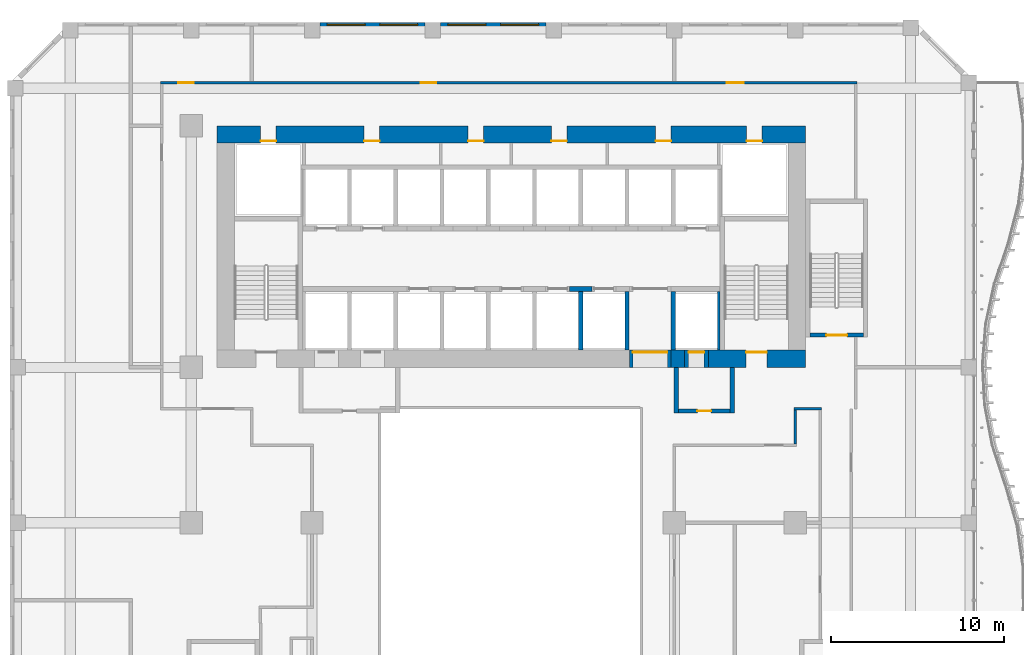
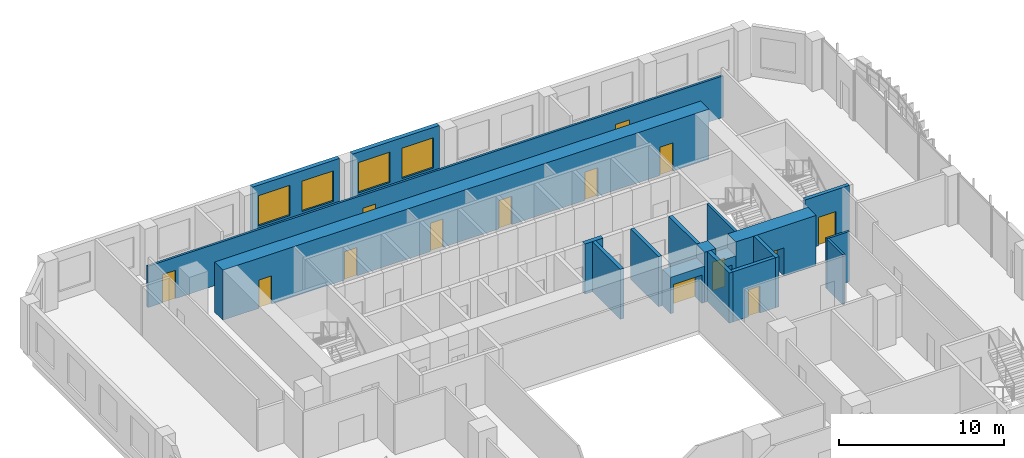
# One storey, part 16 of 26: 19 walls, 14 doors, 4 windows, 18 openings.
"""IFC4 building model written with IfcOpenShell, lengths in metres."""

from ifc_helpers import new_model, si_unit, direction, frame, frame_2d, origin, place, context, subcontext, project, spatial, rectangle, extrude, source, transform, mapped, material, layer, layer_set, type_object, element, fill, save


model = new_model("IFC4")

# Units and contexts
model_context = context("Model", 3, precision=1e-05, world=origin(), true_north=direction((0.0, 1.0)))
body_context = subcontext(model_context, "Body", "Model", "MODEL_VIEW")
ifc_project = project(units=[si_unit("LENGTHUNIT", "METRE"), si_unit("AREAUNIT", "SQUARE_METRE"), si_unit("VOLUMEUNIT", "CUBIC_METRE"), si_unit("PLANEANGLEUNIT", "RADIAN"), si_unit("MASSUNIT", "GRAM", prefix="KILO")], contexts=[model_context])

# Site, building, storey
site_placement = place(None, origin())
site = spatial("IfcSite", under=ifc_project, at=site_placement, CompositionType="ELEMENT")
building_placement = place(site_placement, origin())
building = spatial("IfcBuilding", under=site, at=building_placement, Name="Kilnfold Tower and Market Hall", CompositionType="ELEMENT")
storey_placement = place(building_placement, frame((0.0, 0.0, 31.0)))
storey = spatial("IfcBuildingStorey", under=building, at=storey_placement, Name="L06", CompositionType="ELEMENT", Elevation=31.0)

# Walls
ifc_material_1 = material(Name="Gypsum board on steel studs", Category="steel")
ifc_layer_1 = layer(ifc_material_1, 0.14990234375)
ifc_layer_set_1 = layer_set([ifc_layer_1], Name="Gypsum board on steel studs")
wall_type_1 = type_object("IfcWallType", Name="WALL CORRIDOR 150", PredefinedType="PARTITIONING", material=ifc_layer_set_1)
wall_1_placement = place(storey_placement, frame((17.425048828125, 5.60009765625, 0.0), z_axis=(0.0, 0.0, 1.0), x_axis=(1.0, 0.0, 0.0)))
element("IfcWall", 1, at=wall_1_placement, inside=storey, type_object=wall_type_1, Name="Partition LY06.24", PredefinedType="PARTITIONING", context=body_context, shape_type="SweptSolid", body=[
    extrude(rectangle(XDim=1.599853515625, YDim=0.14990234375, at=frame_2d((0.7998046875, 0.0))), origin(), (0.0, 0.0, 1.0), 3.719970703125),
])
wall_2_placement = place(storey_placement, frame((17.5, 3.574951171875, 0.0), z_axis=(0.0, 0.0, 1.0), x_axis=(0.0, 1.0, 0.0)))
element("IfcWall", 2, at=wall_2_placement, inside=storey, type_object=wall_type_1, Name="Partition LY06.25", PredefinedType="PARTITIONING", context=body_context, shape_type="SweptSolid", body=[
    extrude(rectangle(XDim=1.949951171875, YDim=0.14990234375, at=frame_2d((0.97509765625, 0.0))), origin(), (0.0, 0.0, 1.0), 3.719970703125),
])

# Wall, openings, doors
wall_3_placement = place(storey_placement, frame((-19.27490234375, 24.5, 0.0), z_axis=(0.0, 0.0, 1.0), x_axis=(1.0, 0.0, 0.0)))
wall_3 = element("IfcWall", 3, at=wall_3_placement, inside=storey, type_object=wall_type_1, Name="Partition LY06.33", PredefinedType="PARTITIONING", context=body_context, shape_type="SweptSolid", body=[
    extrude(rectangle(XDim=40.349853515625, YDim=0.14990234375, at=frame_2d((20.1748046875, 0.0))), origin(), (0.0, 0.0, 1.0), 3.070068359375),
])
opening_1_placement = place(wall_3_placement, frame((1.01708984375, 0.0, 0.0)))
opening_1 = element("IfcOpeningElement", 4, at=opening_1_placement, cuts=wall_3, Name="Opening D3", PredefinedType="OPENING", context=body_context, shape_type="SweptSolid", body=[
    extrude(rectangle(XDim=0.89990234375, YDim=2.10009765625, at=frame_2d((0.449951171875, 1.050048828125))), frame((0.0, 0.0849609375, 0.0), z_axis=(0.0, -1.0, 0.0), x_axis=(1.0, 0.0, 0.0)), (0.0, 0.0, 1.0), 0.169921875),
])
opening_2_placement = place(wall_3_placement, frame((15.072998046875, 0.0, 0.0)))
opening_2 = element("IfcOpeningElement", 5, at=opening_2_placement, cuts=wall_3, Name="Opening D2", PredefinedType="OPENING", context=body_context, shape_type="SweptSolid", body=[
    extrude(rectangle(XDim=0.89990234375, YDim=2.10009765625, at=frame_2d((0.449951171875, 1.050048828125))), frame((0.0, 0.0849609375, 0.0), z_axis=(0.0, -1.0, 0.0), x_axis=(1.0, 0.0, 0.0)), (0.0, 0.0, 1.0), 0.169921875),
])
opening_3_placement = place(wall_3_placement, frame((32.791015625, 0.0, 0.0)))
opening_3 = element("IfcOpeningElement", 6, at=opening_3_placement, cuts=wall_3, Name="Opening D1", PredefinedType="OPENING", context=body_context, shape_type="SweptSolid", body=[
    extrude(rectangle(XDim=1.0, YDim=2.10009765625, at=frame_2d((0.5, 1.050048828125))), frame((0.0, 0.0849609375, 0.0), z_axis=(0.0, -1.0, 0.0), x_axis=(1.0, 0.0, 0.0)), (0.0, 0.0, 1.0), 0.169921875),
])
ifc_material_2 = material(Name="Timber veneer door leaf in steel frame", Category="steel")
door_type_1 = type_object("IfcDoorType", Name="DOOR ENTRY 1000 X2100", OperationType="NOTDEFINED", PredefinedType="DOOR", material=ifc_material_2)
door_1_placement = place(opening_3_placement, origin())
door_1 = element("IfcDoor", 7, at=door_1_placement, inside=storey, type_object=door_type_1, Name="Door D1", OperationType="SINGLE_SWING_RIGHT", OverallHeight=2.10009765625, OverallWidth=1.0, PredefinedType="DOOR", context=body_context, shape_type="SweptSolid", body=[
    extrude(rectangle(XDim=1.0, YDim=2.10009765625, at=frame_2d((0.5, 1.050048828125))), frame((0.0, 0.02490234375, 0.0), z_axis=(0.0, -1.0, 0.0), x_axis=(1.0, 0.0, 0.0)), (0.0, 0.0, 1.0), 0.050048828125),
])
fill(opening_3, door_1)
ifc_material_3 = material(Name="Timber veneer door leaf in steel frame", Category="steel")
door_type_2 = type_object("IfcDoorType", Name="DOOR ROOM 900 X2100", OperationType="NOTDEFINED", PredefinedType="DOOR", material=ifc_material_3)
door_2_placement = place(opening_2_placement, origin())
door_2 = element("IfcDoor", 8, at=door_2_placement, inside=storey, type_object=door_type_2, Name="Door D2", OperationType="SINGLE_SWING_LEFT", OverallHeight=2.10009765625, OverallWidth=0.89990234375, PredefinedType="DOOR", context=body_context, shape_type="SweptSolid", body=[
    extrude(rectangle(XDim=0.89990234375, YDim=2.10009765625, at=frame_2d((0.449951171875, 1.050048828125))), frame((0.0, 0.02490234375, 0.0), z_axis=(0.0, -1.0, 0.0), x_axis=(1.0, 0.0, 0.0)), (0.0, 0.0, 1.0), 0.050048828125),
])
fill(opening_2, door_2)
ifc_material_4 = material(Name="Timber veneer door leaf in steel frame", Category="steel")
door_type_3 = type_object("IfcDoorType", Name="DOOR WC 900 X2100", OperationType="NOTDEFINED", PredefinedType="DOOR", material=ifc_material_4)
door_3_placement = place(opening_1_placement, origin())
door_3 = element("IfcDoor", 9, at=door_3_placement, inside=storey, type_object=door_type_3, Name="Door D3", OperationType="SINGLE_SWING_RIGHT", OverallHeight=2.10009765625, OverallWidth=0.89990234375, PredefinedType="DOOR", context=body_context, shape_type="SweptSolid", body=[
    extrude(rectangle(XDim=0.89990234375, YDim=2.10009765625, at=frame_2d((0.449951171875, 1.050048828125))), frame((0.0, 0.02490234375, 0.0), z_axis=(0.0, -1.0, 0.0), x_axis=(1.0, 0.0, 0.0)), (0.0, 0.0, 1.0), 0.050048828125),
])
fill(opening_1, door_3)

# Wall
ifc_material_5 = material(Name="Concrete C80", Category="concrete")
ifc_layer_2 = layer(ifc_material_5, 1.0)
ifc_layer_set_2 = layer_set([ifc_layer_2], Name="Concrete C80")
wall_type_2 = type_object("IfcWallType", Name="CORE WALL 1000 C80", PredefinedType="SHEAR", material=ifc_layer_set_2)
shared_shape_1 = source(origin(), body_context, "Body", "SweptSolid", [
    extrude(rectangle(XDim=0.780029296875, YDim=1.0, at=frame_2d((0.39013671875, 0.0))), origin(), (0.0, 0.0, 1.0), 3.719970703125),
])
wall_4_placement = place(storey_placement, frame((10.2900390625, 8.5, 0.0), z_axis=(0.0, 0.0, 1.0), x_axis=(1.0, 0.0, 0.0)))
element("IfcWall", 10, at=wall_4_placement, inside=storey, type_object=wall_type_2, Name="Core outer wall south", PredefinedType="SHEAR", context=body_context, shape_type="MappedRepresentation", body=[
    mapped(shared_shape_1, transform((0.0, 0.0, 0.0))),
])

# Wall, opening, door
shared_shape_2 = source(origin(), body_context, "Body", "SweptSolid", [
    extrude(rectangle(XDim=5.630126953125, YDim=1.0, at=frame_2d((2.81494140625, 0.0))), origin(), (0.0, 0.0, 1.0), 3.719970703125),
])
wall_5_placement = place(storey_placement, frame((12.469970703125, 8.5, 0.0), z_axis=(0.0, 0.0, 1.0), x_axis=(1.0, 0.0, 0.0)))
wall_5 = element("IfcWall", 11, at=wall_5_placement, inside=storey, type_object=wall_type_2, Name="Core outer wall south", PredefinedType="SHEAR", context=body_context, shape_type="MappedRepresentation", body=[
    mapped(shared_shape_2, transform((0.0, 0.0, 0.0))),
])
opening_4_placement = place(wall_5_placement, frame((2.179931640625, 0.0, 0.0)))
opening_4 = element("IfcOpeningElement", 12, at=opening_4_placement, cuts=wall_5, Name="Opening SD1", PredefinedType="OPENING", context=body_context, shape_type="SweptSolid", body=[
    extrude(rectangle(XDim=1.199951171875, YDim=2.10009765625, at=frame_2d((0.60009765625, 1.050048828125))), frame((0.0, 0.510009765625, 0.0), z_axis=(0.0, -1.0, 0.0), x_axis=(1.0, 0.0, 0.0)), (0.0, 0.0, 1.0), 1.02001953125),
])
ifc_material_6 = material(Name="Steel door set with fire-resisting leaf", Category="steel")
door_type_4 = type_object("IfcDoorType", Name="STAIR FLOOR DOOR 1200X2100", OperationType="NOTDEFINED", PredefinedType="DOOR", material=ifc_material_6)
door_4_placement = place(opening_4_placement, origin())
door_4 = element("IfcDoor", 13, at=door_4_placement, inside=storey, type_object=door_type_4, Name="Exit stair ST2 door", OperationType="DOUBLE_DOOR_SINGLE_SWING", OverallHeight=2.10009765625, OverallWidth=1.199951171875, PredefinedType="DOOR", context=body_context, shape_type="SweptSolid", body=[
    extrude(rectangle(XDim=1.199951171875, YDim=2.10009765625, at=frame_2d((0.60009765625, 1.050048828125))), frame((0.0, 0.40478515625, 0.0), z_axis=(0.0, -1.0, 0.0), x_axis=(1.0, 0.0, 0.0)), (0.0, 0.0, 1.0), 0.050048828125),
])
fill(opening_4, door_4)

# Wall, openings, doors
shared_shape_3 = source(origin(), body_context, "Body", "SweptSolid", [
    extrude(rectangle(XDim=34.10009765625, YDim=1.0, at=frame_2d((17.050048828125, 0.0))), origin(), (0.0, 0.0, 1.0), 3.719970703125),
])
wall_6_placement = place(storey_placement, frame((-16.0, 21.5, 0.0), z_axis=(0.0, 0.0, 1.0), x_axis=(1.0, 0.0, 0.0)))
wall_6 = element("IfcWall", 14, at=wall_6_placement, inside=storey, type_object=wall_type_2, Name="Core outer wall north", PredefinedType="SHEAR", context=body_context, shape_type="MappedRepresentation", body=[
    mapped(shared_shape_3, transform((0.0, 0.0, 0.0))),
])
opening_5_placement = place(wall_6_placement, frame((8.519775390625, 0.0, 0.0)))
opening_5 = element("IfcOpeningElement", 15, at=opening_5_placement, cuts=wall_6, Name="Opening KD1", PredefinedType="OPENING", context=body_context, shape_type="SweptSolid", body=[
    extrude(rectangle(XDim=0.89990234375, YDim=2.10009765625, at=frame_2d((0.449951171875, 1.050048828125))), frame((0.0, 0.510009765625, 0.0), z_axis=(0.0, -1.0, 0.0), x_axis=(1.0, 0.0, 0.0)), (0.0, 0.0, 1.0), 1.02001953125),
])
opening_6_placement = place(wall_6_placement, frame((14.5498046875, 0.0, 0.0)))
opening_6 = element("IfcOpeningElement", 16, at=opening_6_placement, cuts=wall_6, Name="Opening KD1", PredefinedType="OPENING", context=body_context, shape_type="SweptSolid", body=[
    extrude(rectangle(XDim=0.89990234375, YDim=2.10009765625, at=frame_2d((0.449951171875, 1.050048828125))), frame((0.0, 0.510009765625, 0.0), z_axis=(0.0, -1.0, 0.0), x_axis=(1.0, 0.0, 0.0)), (0.0, 0.0, 1.0), 1.02001953125),
])
opening_7_placement = place(wall_6_placement, frame((19.373779296875, 0.0, 0.0)))
opening_7 = element("IfcOpeningElement", 17, at=opening_7_placement, cuts=wall_6, Name="Opening KD1", PredefinedType="OPENING", context=body_context, shape_type="SweptSolid", body=[
    extrude(rectangle(XDim=0.89990234375, YDim=2.10009765625, at=frame_2d((0.449951171875, 1.050048828125))), frame((0.0, 0.510009765625, 0.0), z_axis=(0.0, -1.0, 0.0), x_axis=(1.0, 0.0, 0.0)), (0.0, 0.0, 1.0), 1.02001953125),
])
opening_8_placement = place(wall_6_placement, frame((25.40380859375, 0.0, 0.0)))
opening_8 = element("IfcOpeningElement", 18, at=opening_8_placement, cuts=wall_6, Name="Opening KD1", PredefinedType="OPENING", context=body_context, shape_type="SweptSolid", body=[
    extrude(rectangle(XDim=0.89990234375, YDim=2.10009765625, at=frame_2d((0.449951171875, 1.050048828125))), frame((0.0, 0.510009765625, 0.0), z_axis=(0.0, -1.0, 0.0), x_axis=(1.0, 0.0, 0.0)), (0.0, 0.0, 1.0), 1.02001953125),
])
opening_9_placement = place(wall_6_placement, frame((2.52490234375, 0.0, 0.0)))
opening_9 = element("IfcOpeningElement", 19, at=opening_9_placement, cuts=wall_6, Name="Opening KD1", PredefinedType="OPENING", context=body_context, shape_type="SweptSolid", body=[
    extrude(rectangle(XDim=0.89990234375, YDim=2.10009765625, at=frame_2d((0.449951171875, 1.050048828125))), frame((0.0, 0.510009765625, 0.0), z_axis=(0.0, -1.0, 0.0), x_axis=(1.0, 0.0, 0.0)), (0.0, 0.0, 1.0), 1.02001953125),
])
opening_10_placement = place(wall_6_placement, frame((30.675048828125, 0.0, 0.0)))
opening_10 = element("IfcOpeningElement", 20, at=opening_10_placement, cuts=wall_6, Name="Opening KD1", PredefinedType="OPENING", context=body_context, shape_type="SweptSolid", body=[
    extrude(rectangle(XDim=0.89990234375, YDim=2.10009765625, at=frame_2d((0.449951171875, 1.050048828125))), frame((0.0, 0.510009765625, 0.0), z_axis=(0.0, -1.0, 0.0), x_axis=(1.0, 0.0, 0.0)), (0.0, 0.0, 1.0), 1.02001953125),
])
ifc_material_7 = material(Name="Steel door set with fire-resisting leaf", Category="steel")
door_type_5 = type_object("IfcDoorType", Name="SERVICE DOOR 900X2100", OperationType="NOTDEFINED", PredefinedType="DOOR", material=ifc_material_7)
door_5_placement = place(opening_5_placement, origin())
door_5 = element("IfcDoor", 21, at=door_5_placement, inside=storey, type_object=door_type_5, Name="Core service door", OperationType="SINGLE_SWING_RIGHT", OverallHeight=2.10009765625, OverallWidth=0.89990234375, PredefinedType="DOOR", context=body_context, shape_type="SweptSolid", body=[
    extrude(rectangle(XDim=0.89990234375, YDim=2.10009765625, at=frame_2d((0.449951171875, 1.050048828125))), frame((0.0, -0.35498046875, 0.0), z_axis=(0.0, -1.0, 0.0), x_axis=(1.0, 0.0, 0.0)), (0.0, 0.0, 1.0), 0.050048828125),
])
fill(opening_5, door_5)
door_6_placement = place(opening_6_placement, origin())
door_6 = element("IfcDoor", 22, at=door_6_placement, inside=storey, type_object=door_type_5, Name="Core service door", OperationType="SINGLE_SWING_LEFT", OverallHeight=2.10009765625, OverallWidth=0.89990234375, PredefinedType="DOOR", context=body_context, shape_type="SweptSolid", body=[
    extrude(rectangle(XDim=0.89990234375, YDim=2.10009765625, at=frame_2d((0.449951171875, 1.050048828125))), frame((0.0, -0.35498046875, 0.0), z_axis=(0.0, -1.0, 0.0), x_axis=(1.0, 0.0, 0.0)), (0.0, 0.0, 1.0), 0.050048828125),
])
fill(opening_6, door_6)
door_7_placement = place(opening_7_placement, origin())
door_7 = element("IfcDoor", 23, at=door_7_placement, inside=storey, type_object=door_type_5, Name="Core service door", OperationType="SINGLE_SWING_RIGHT", OverallHeight=2.10009765625, OverallWidth=0.89990234375, PredefinedType="DOOR", context=body_context, shape_type="SweptSolid", body=[
    extrude(rectangle(XDim=0.89990234375, YDim=2.10009765625, at=frame_2d((0.449951171875, 1.050048828125))), frame((0.0, -0.35498046875, 0.0), z_axis=(0.0, -1.0, 0.0), x_axis=(1.0, 0.0, 0.0)), (0.0, 0.0, 1.0), 0.050048828125),
])
fill(opening_7, door_7)
door_8_placement = place(opening_8_placement, origin())
door_8 = element("IfcDoor", 24, at=door_8_placement, inside=storey, type_object=door_type_5, Name="Core service door", OperationType="SINGLE_SWING_LEFT", OverallHeight=2.10009765625, OverallWidth=0.89990234375, PredefinedType="DOOR", context=body_context, shape_type="SweptSolid", body=[
    extrude(rectangle(XDim=0.89990234375, YDim=2.10009765625, at=frame_2d((0.449951171875, 1.050048828125))), frame((0.0, -0.35498046875, 0.0), z_axis=(0.0, -1.0, 0.0), x_axis=(1.0, 0.0, 0.0)), (0.0, 0.0, 1.0), 0.050048828125),
])
fill(opening_8, door_8)
door_9_placement = place(opening_9_placement, origin())
door_9 = element("IfcDoor", 25, at=door_9_placement, inside=storey, type_object=door_type_5, Name="Electrical riser access door", OperationType="SINGLE_SWING_RIGHT", OverallHeight=2.10009765625, OverallWidth=0.89990234375, PredefinedType="DOOR", context=body_context, shape_type="SweptSolid", body=[
    extrude(rectangle(XDim=0.89990234375, YDim=2.10009765625, at=frame_2d((0.449951171875, 1.050048828125))), frame((0.0, -0.35498046875, 0.0), z_axis=(0.0, -1.0, 0.0), x_axis=(1.0, 0.0, 0.0)), (0.0, 0.0, 1.0), 0.050048828125),
])
fill(opening_9, door_9)
door_10_placement = place(opening_10_placement, origin())
door_10 = element("IfcDoor", 26, at=door_10_placement, inside=storey, type_object=door_type_5, Name="Mechanical riser access door", OperationType="SINGLE_SWING_LEFT", OverallHeight=2.10009765625, OverallWidth=0.89990234375, PredefinedType="DOOR", context=body_context, shape_type="SweptSolid", body=[
    extrude(rectangle(XDim=0.89990234375, YDim=2.10009765625, at=frame_2d((0.449951171875, 1.050048828125))), frame((0.0, -0.35498046875, 0.0), z_axis=(0.0, -1.0, 0.0), x_axis=(1.0, 0.0, 0.0)), (0.0, 0.0, 1.0), 0.050048828125),
])
fill(opening_10, door_10)

# Wall, opening, door
ifc_material_8 = material(Name="Concrete C80", Category="concrete")
ifc_layer_3 = layer(ifc_material_8, 0.25)
ifc_layer_set_3 = layer_set([ifc_layer_3], Name="Concrete C80")
wall_type_3 = type_object("IfcWallType", Name="CORE WALL 250 C80", PredefinedType="SHEAR", material=ifc_layer_set_3)
shared_shape_4 = source(origin(), body_context, "Body", "SweptSolid", [
    extrude(rectangle(XDim=3.099853515625, YDim=0.25, at=frame_2d((1.5498046875, 0.0))), origin(), (0.0, 0.0, 1.0), 3.719970703125),
])
wall_7_placement = place(storey_placement, frame((18.35009765625, 9.875, 0.0), z_axis=(0.0, 0.0, 1.0), x_axis=(1.0, 0.0, 0.0)))
wall_7 = element("IfcWall", 27, at=wall_7_placement, inside=storey, type_object=wall_type_3, Name="Stair enclosure ST5", PredefinedType="SHEAR", context=body_context, shape_type="MappedRepresentation", body=[
    mapped(shared_shape_4, transform((0.0, 0.0, 0.0))),
])
opening_11_placement = place(wall_7_placement, frame((0.949951171875, 0.0, 0.0)))
opening_11 = element("IfcOpeningElement", 28, at=opening_11_placement, cuts=wall_7, Name="Opening SD1", PredefinedType="OPENING", context=body_context, shape_type="SweptSolid", body=[
    extrude(rectangle(XDim=1.199951171875, YDim=2.10009765625, at=frame_2d((0.60009765625, 1.050048828125))), frame((0.0, 0.135009765625, 0.0), z_axis=(0.0, -1.0, 0.0), x_axis=(1.0, 0.0, 0.0)), (0.0, 0.0, 1.0), 0.27001953125),
])
door_11_placement = place(opening_11_placement, origin())
door_11 = element("IfcDoor", 29, at=door_11_placement, inside=storey, type_object=door_type_4, Name="Exit stair ST5 door", OperationType="DOUBLE_DOOR_SINGLE_SWING", OverallHeight=2.10009765625, OverallWidth=1.199951171875, PredefinedType="DOOR", context=body_context, shape_type="SweptSolid", body=[
    extrude(rectangle(XDim=1.199951171875, YDim=2.10009765625, at=frame_2d((0.60009765625, 1.050048828125))), frame((0.0, 0.02490234375, 0.0), z_axis=(0.0, -1.0, 0.0), x_axis=(1.0, 0.0, 0.0)), (0.0, 0.0, 1.0), 0.050048828125),
])
fill(opening_11, door_11)

# Wall
ifc_material_9 = material(Name="Concrete C80", Category="concrete")
ifc_layer_4 = layer(ifc_material_9, 0.300048828125)
ifc_layer_set_4 = layer_set([ifc_layer_4], Name="Concrete C80")
wall_type_4 = type_object("IfcWallType", Name="CORE WALL 300 C80", PredefinedType="SHEAR", material=ifc_layer_set_4)
shared_shape_5 = source(origin(), body_context, "Body", "SweptSolid", [
    extrude(rectangle(XDim=1.280029296875, YDim=0.300048828125, at=frame_2d((0.64013671875, 0.0))), origin(), (0.0, 0.0, 1.0), 3.719970703125),
])
wall_8_placement = place(storey_placement, frame((4.429931640625, 12.550048828125, 0.0), z_axis=(0.0, 0.0, 1.0), x_axis=(1.0, 0.0, 0.0)))
element("IfcWall", 30, at=wall_8_placement, inside=storey, type_object=wall_type_4, Name="Core spine wall", PredefinedType="SHEAR", context=body_context, shape_type="MappedRepresentation", body=[
    mapped(shared_shape_5, transform((0.0, 0.0, 0.0))),
])

# Wall, openings, windows
ifc_material_10 = material(Name="Precast concrete C50/60", Category="concrete")
ifc_layer_5 = layer(ifc_material_10, 0.300048828125)
ifc_layer_set_5 = layer_set([ifc_layer_5], Name="Precast concrete C50/60")
wall_type_5 = type_object("IfcWallType", Name="PRECAST WALL 300", PredefinedType="SOLIDWALL", material=ifc_layer_set_5)
shared_shape_6 = source(origin(), body_context, "Body", "SweptSolid", [
    extrude(rectangle(XDim=6.10009765625, YDim=0.300048828125, at=frame_2d((3.050048828125, 0.0))), origin(), (0.0, 0.0, 1.0), 3.719970703125),
])
wall_9_placement = place(storey_placement, frame((3.050048828125, 27.85009765625, 0.0), z_axis=(0.0, 0.0, 1.0), x_axis=(-1.0, 0.0, 0.0)))
wall_9 = element("IfcWall", 31, at=wall_9_placement, inside=storey, type_object=wall_type_5, Name="External wall L06 N", PredefinedType="SOLIDWALL", context=body_context, shape_type="MappedRepresentation", body=[
    mapped(shared_shape_6, transform((0.0, 0.0, 0.0))),
])
opening_12_placement = place(wall_9_placement, frame((0.425048828125, 0.0, 0.699951171875)))
opening_12 = element("IfcOpeningElement", 32, at=opening_12_placement, cuts=wall_9, Name="Opening W1", PredefinedType="OPENING", context=body_context, shape_type="SweptSolid", body=[
    extrude(rectangle(XDim=2.199951171875, YDim=2.25, at=frame_2d((1.10009765625, 1.125))), frame((0.0, 0.16015625, 0.0), z_axis=(0.0, -1.0, 0.0), x_axis=(1.0, 0.0, 0.0)), (0.0, 0.0, 1.0), 0.320068359375),
])
opening_13_placement = place(wall_9_placement, frame((3.47509765625, 0.0, 0.699951171875)))
opening_13 = element("IfcOpeningElement", 33, at=opening_13_placement, cuts=wall_9, Name="Opening W1", PredefinedType="OPENING", context=body_context, shape_type="SweptSolid", body=[
    extrude(rectangle(XDim=2.199951171875, YDim=2.25, at=frame_2d((1.10009765625, 1.125))), frame((0.0, 0.16015625, 0.0), z_axis=(0.0, -1.0, 0.0), x_axis=(1.0, 0.0, 0.0)), (0.0, 0.0, 1.0), 0.320068359375),
])
ifc_material_11 = material(Name="Aluminium frame and double glazing", Category="aluminium")
window_type = type_object("IfcWindowType", Name="WINDOW W1 2200X2250", PartitioningType="SINGLE_PANEL", PredefinedType="WINDOW", material=ifc_material_11)
window_1_placement = place(opening_12_placement, origin())
window_1 = element("IfcWindow", 34, at=window_1_placement, inside=storey, type_object=window_type, Name="Window W1 L06 N-1", OverallHeight=2.25, OverallWidth=2.199951171875, PartitioningType="SINGLE_PANEL", PredefinedType="WINDOW", context=body_context, shape_type="SweptSolid", body=[
    extrude(rectangle(XDim=2.199951171875, YDim=2.25, at=frame_2d((1.10009765625, 1.125))), frame((0.0, 0.030029296875, 0.0), z_axis=(0.0, -1.0, 0.0), x_axis=(1.0, 0.0, 0.0)), (0.0, 0.0, 1.0), 0.06005859375),
])
fill(opening_12, window_1)
window_2_placement = place(opening_13_placement, origin())
window_2 = element("IfcWindow", 35, at=window_2_placement, inside=storey, type_object=window_type, Name="Window W1 L06 N-2", OverallHeight=2.25, OverallWidth=2.199951171875, PartitioningType="SINGLE_PANEL", PredefinedType="WINDOW", context=body_context, shape_type="SweptSolid", body=[
    extrude(rectangle(XDim=2.199951171875, YDim=2.25, at=frame_2d((1.10009765625, 1.125))), frame((0.0, 0.030029296875, 0.0), z_axis=(0.0, -1.0, 0.0), x_axis=(1.0, 0.0, 0.0)), (0.0, 0.0, 1.0), 0.06005859375),
])
fill(opening_13, window_2)

wall_10_placement = place(storey_placement, frame((-3.949951171875, 27.85009765625, 0.0), z_axis=(0.0, 0.0, 1.0), x_axis=(-1.0, 0.0, 0.0)))
wall_10 = element("IfcWall", 36, at=wall_10_placement, inside=storey, type_object=wall_type_5, Name="External wall L06 N", PredefinedType="SOLIDWALL", context=body_context, shape_type="MappedRepresentation", body=[
    mapped(shared_shape_6, transform((0.0, 0.0, 0.0))),
])
opening_14_placement = place(wall_10_placement, frame((0.425048828125, 0.0, 0.699951171875)))
opening_14 = element("IfcOpeningElement", 37, at=opening_14_placement, cuts=wall_10, Name="Opening W1", PredefinedType="OPENING", context=body_context, shape_type="SweptSolid", body=[
    extrude(rectangle(XDim=2.199951171875, YDim=2.25, at=frame_2d((1.10009765625, 1.125))), frame((0.0, 0.16015625, 0.0), z_axis=(0.0, -1.0, 0.0), x_axis=(1.0, 0.0, 0.0)), (0.0, 0.0, 1.0), 0.320068359375),
])
opening_15_placement = place(wall_10_placement, frame((3.47509765625, 0.0, 0.699951171875)))
opening_15 = element("IfcOpeningElement", 38, at=opening_15_placement, cuts=wall_10, Name="Opening W1", PredefinedType="OPENING", context=body_context, shape_type="SweptSolid", body=[
    extrude(rectangle(XDim=2.199951171875, YDim=2.25, at=frame_2d((1.10009765625, 1.125))), frame((0.0, 0.16015625, 0.0), z_axis=(0.0, -1.0, 0.0), x_axis=(1.0, 0.0, 0.0)), (0.0, 0.0, 1.0), 0.320068359375),
])
window_3_placement = place(opening_14_placement, origin())
window_3 = element("IfcWindow", 39, at=window_3_placement, inside=storey, type_object=window_type, Name="Window W1 L06 N-1", OverallHeight=2.25, OverallWidth=2.199951171875, PartitioningType="SINGLE_PANEL", PredefinedType="WINDOW", context=body_context, shape_type="SweptSolid", body=[
    extrude(rectangle(XDim=2.199951171875, YDim=2.25, at=frame_2d((1.10009765625, 1.125))), frame((0.0, 0.030029296875, 0.0), z_axis=(0.0, -1.0, 0.0), x_axis=(1.0, 0.0, 0.0)), (0.0, 0.0, 1.0), 0.06005859375),
])
fill(opening_14, window_3)
window_4_placement = place(opening_15_placement, origin())
window_4 = element("IfcWindow", 40, at=window_4_placement, inside=storey, type_object=window_type, Name="Window W1 L06 N-2", OverallHeight=2.25, OverallWidth=2.199951171875, PartitioningType="SINGLE_PANEL", PredefinedType="WINDOW", context=body_context, shape_type="SweptSolid", body=[
    extrude(rectangle(XDim=2.199951171875, YDim=2.25, at=frame_2d((1.10009765625, 1.125))), frame((0.0, 0.030029296875, 0.0), z_axis=(0.0, -1.0, 0.0), x_axis=(1.0, 0.0, 0.0)), (0.0, 0.0, 1.0), 0.06005859375),
])
fill(opening_15, window_4)

# Wall, opening, door
ifc_material_12 = material(Name="Gypsum shaft wall system")
ifc_layer_6 = layer(ifc_material_12, 1.0)
ifc_layer_set_6 = layer_set([ifc_layer_6], Name="Gypsum shaft wall system")
wall_type_6 = type_object("IfcWallType", Name="LOBBY WALL 1000", PredefinedType="PARTITIONING", material=ifc_layer_set_6)
shared_shape_7 = source(origin(), body_context, "Body", "SweptSolid", [
    extrude(rectangle(XDim=1.39990234375, YDim=1.0, at=frame_2d((0.699951171875, 0.0))), origin(), (0.0, 0.0, 1.0), 2.699951171875),
])
wall_11_placement = place(storey_placement, frame((11.070068359375, 8.5, 0.0), z_axis=(0.0, 0.0, 1.0), x_axis=(1.0, 0.0, 0.0)))
wall_11 = element("IfcWall", 41, at=wall_11_placement, inside=storey, type_object=wall_type_6, Name="Core wall infill", PredefinedType="PARTITIONING", context=body_context, shape_type="MappedRepresentation", body=[
    mapped(shared_shape_7, transform((0.0, 0.0, 0.0))),
])
opening_16_placement = place(wall_11_placement, frame((0.25, 0.0, 0.0)))
opening_16 = element("IfcOpeningElement", 42, at=opening_16_placement, cuts=wall_11, Name="Opening LD1", PredefinedType="OPENING", context=body_context, shape_type="SweptSolid", body=[
    extrude(rectangle(XDim=0.89990234375, YDim=2.10009765625, at=frame_2d((0.449951171875, 1.050048828125))), frame((0.0, 0.510009765625, 0.0), z_axis=(0.0, -1.0, 0.0), x_axis=(1.0, 0.0, 0.0)), (0.0, 0.0, 1.0), 1.02001953125),
])
ifc_material_13 = material(Name="Steel door set with fire-resisting leaf", Category="steel")
door_type_6 = type_object("IfcDoorType", Name="FIREFIGHTING LANDING DOOR 900X2100", OperationType="NOTDEFINED", PredefinedType="DOOR", material=ifc_material_13)
door_12_placement = place(opening_16_placement, origin())
door_12 = element("IfcDoor", 43, at=door_12_placement, inside=storey, type_object=door_type_6, Name="Landing door FF3", OperationType="SLIDING_TO_LEFT", OverallHeight=2.10009765625, OverallWidth=0.89990234375, PredefinedType="DOOR", context=body_context, shape_type="SweptSolid", body=[
    extrude(rectangle(XDim=0.89990234375, YDim=2.10009765625, at=frame_2d((0.449951171875, 1.050048828125))), frame((0.0, 0.40478515625, 0.0), z_axis=(0.0, -1.0, 0.0), x_axis=(1.0, 0.0, 0.0)), (0.0, 0.0, 1.0), 0.050048828125),
])
fill(opening_16, door_12)

shared_shape_8 = source(origin(), body_context, "Body", "SweptSolid", [
    extrude(rectangle(XDim=2.400146484375, YDim=1.0, at=frame_2d((1.2001953125, 0.0))), origin(), (0.0, 0.0, 1.0), 2.699951171875),
])
wall_12_placement = place(storey_placement, frame((7.889892578125, 8.5, 0.0), z_axis=(0.0, 0.0, 1.0), x_axis=(1.0, 0.0, 0.0)))
wall_12 = element("IfcWall", 44, at=wall_12_placement, inside=storey, type_object=wall_type_6, Name="Core wall infill", PredefinedType="PARTITIONING", context=body_context, shape_type="MappedRepresentation", body=[
    mapped(shared_shape_8, transform((0.0, 0.0, 0.0))),
])
opening_17_placement = place(wall_12_placement, frame((0.199951171875, 0.0, 0.0)))
opening_17 = element("IfcOpeningElement", 45, at=opening_17_placement, cuts=wall_12, Name="Opening VD2", PredefinedType="OPENING", context=body_context, shape_type="SweptSolid", body=[
    extrude(rectangle(XDim=2.0, YDim=2.10009765625, at=frame_2d((1.0, 1.050048828125))), frame((0.0, 0.510009765625, 0.0), z_axis=(0.0, -1.0, 0.0), x_axis=(1.0, 0.0, 0.0)), (0.0, 0.0, 1.0), 1.02001953125),
])
ifc_material_14 = material(Name="Steel door set with fire-resisting leaf", Category="steel")
door_type_7 = type_object("IfcDoorType", Name="LIFT LOBBY ENTRANCE DOOR 2000X2100", OperationType="NOTDEFINED", PredefinedType="DOOR", material=ifc_material_14)
door_13_placement = place(opening_17_placement, origin())
door_13 = element("IfcDoor", 46, at=door_13_placement, inside=storey, type_object=door_type_7, Name="Lift lobby entrance door", OperationType="DOUBLE_DOOR_SINGLE_SWING", OverallHeight=2.10009765625, OverallWidth=2.0, PredefinedType="DOOR", context=body_context, shape_type="SweptSolid", body=[
    extrude(rectangle(XDim=2.0, YDim=2.10009765625, at=frame_2d((1.0, 1.050048828125))), frame((0.0, 0.40478515625, 0.0), z_axis=(0.0, -1.0, 0.0), x_axis=(1.0, 0.0, 0.0)), (0.0, 0.0, 1.0), 0.050048828125),
])
fill(opening_17, door_13)

# Walls
ifc_material_15 = material(Name="Gypsum shaft wall system")
ifc_layer_7 = layer(ifc_material_15, 0.25)
ifc_layer_set_7 = layer_set([ifc_layer_7], Name="Gypsum shaft wall system")
wall_type_7 = type_object("IfcWallType", Name="LOBBY WALL 250", PredefinedType="PARTITIONING", material=ifc_layer_set_7)
shared_shape_9 = source(origin(), body_context, "Body", "SweptSolid", [
    extrude(rectangle(XDim=2.64990234375, YDim=0.25, at=frame_2d((1.324951171875, 0.0))), origin(), (0.0, 0.0, 1.0), 3.719970703125),
])
for number, where, z_axis, x_axis, name in (
    (47, (10.60498046875, 5.35009765625, 0.0), (0.0, 0.0, 1.0), (0.0, 1.0, 0.0), "Firefighting lobby wall"),
    (48, (13.85498046875, 5.35009765625, 0.0), (0.0, 0.0, 1.0), (0.0, 1.0, 0.0), "Firefighting lobby wall"),
):
    element("IfcWall", number, at=place(storey_placement, frame(where, z_axis=z_axis, x_axis=x_axis)), inside=storey, type_object=wall_type_7, Name=name, PredefinedType="PARTITIONING", context=body_context, shape_type="MappedRepresentation", body=[
        mapped(shared_shape_9, transform((0.0, 0.0, 0.0))),
    ])

# Wall, opening, door
shared_shape_10 = source(origin(), body_context, "Body", "SweptSolid", [
    extrude(rectangle(XDim=3.0, YDim=0.25, at=frame_2d((1.5, 0.0))), origin(), (0.0, 0.0, 1.0), 3.719970703125),
])
wall_13_placement = place(storey_placement, frame((10.72998046875, 5.47509765625, 0.0), z_axis=(0.0, 0.0, 1.0), x_axis=(1.0, 0.0, 0.0)))
wall_13 = element("IfcWall", 49, at=wall_13_placement, inside=storey, type_object=wall_type_7, Name="Firefighting lobby wall", PredefinedType="PARTITIONING", context=body_context, shape_type="MappedRepresentation", body=[
    mapped(shared_shape_10, transform((0.0, 0.0, 0.0))),
])
opening_18_placement = place(wall_13_placement, frame((1.10009765625, 0.0, 0.0)))
opening_18 = element("IfcOpeningElement", 50, at=opening_18_placement, cuts=wall_13, Name="Opening VD1", PredefinedType="OPENING", context=body_context, shape_type="SweptSolid", body=[
    extrude(rectangle(XDim=0.800048828125, YDim=2.0, at=frame_2d((0.39990234375, 1.0))), frame((0.0, 0.135009765625, 0.0), z_axis=(0.0, -1.0, 0.0), x_axis=(1.0, 0.0, 0.0)), (0.0, 0.0, 1.0), 0.27001953125),
])
ifc_material_16 = material(Name="Steel door set with fire-resisting leaf", Category="steel")
door_type_8 = type_object("IfcDoorType", Name="FIREFIGHTING LOBBY DOOR 800X2000", OperationType="NOTDEFINED", PredefinedType="DOOR", material=ifc_material_16)
door_14_placement = place(opening_18_placement, origin())
door_14 = element("IfcDoor", 51, at=door_14_placement, inside=storey, type_object=door_type_8, Name="Firefighting lobby door", OperationType="SINGLE_SWING_RIGHT", OverallHeight=2.0, OverallWidth=0.800048828125, PredefinedType="DOOR", context=body_context, shape_type="SweptSolid", body=[
    extrude(rectangle(XDim=0.800048828125, YDim=2.0, at=frame_2d((0.39990234375, 1.0))), frame((0.0, 0.02490234375, 0.0), z_axis=(0.0, -1.0, 0.0), x_axis=(1.0, 0.0, 0.0)), (0.0, 0.0, 1.0), 0.050048828125),
])
fill(opening_18, door_14)

# Walls
ifc_material_17 = material(Name="Gypsum shaft wall system")
ifc_layer_8 = layer(ifc_material_17, 0.25)
ifc_layer_set_8 = layer_set([ifc_layer_8], Name="Gypsum shaft wall system")
wall_type_8 = type_object("IfcWallType", Name="SHAFT WALL 250", PredefinedType="PARTITIONING", material=ifc_layer_set_8)
shared_shape_11 = source(origin(), body_context, "Body", "SweptSolid", [
    extrude(rectangle(XDim=3.39990234375, YDim=0.25, at=frame_2d((1.699951171875, 0.0))), origin(), (0.0, 0.0, 1.0), 3.719970703125),
])
for number, where, z_axis, x_axis, name in (
    (52, (10.429931640625, 9.0, 0.0), (0.0, 0.0, 1.0), (0.0, 1.0, 0.0), "Lift shaft wall"),
    (53, (5.070068359375, 9.0, 0.0), (0.0, 0.0, 1.0), (0.0, 1.0, 0.0), "Lift shaft wall"),
    (54, (7.75, 9.0, 0.0), (0.0, 0.0, 1.0), (0.0, 1.0, 0.0), "Lift shaft wall"),
):
    element("IfcWall", number, at=place(storey_placement, frame(where, z_axis=z_axis, x_axis=x_axis)), inside=storey, type_object=wall_type_8, Name=name, PredefinedType="PARTITIONING", context=body_context, shape_type="MappedRepresentation", body=[
        mapped(shared_shape_11, transform((0.0, 0.0, 0.0))),
    ])
ifc_material_18 = material(Name="Gypsum shaft wall system")
ifc_layer_9 = layer(ifc_material_18, 0.1650390625)
ifc_layer_set_9 = layer_set([ifc_layer_9], Name="Gypsum shaft wall system")
wall_type_9 = type_object("IfcWallType", Name="SHAFT WALL 165", PredefinedType="PARTITIONING", material=ifc_layer_set_9)
shared_shape_12 = source(origin(), body_context, "Body", "SweptSolid", [
    extrude(rectangle(XDim=3.39990234375, YDim=0.1650390625, at=frame_2d((1.699951171875, 0.0))), origin(), (0.0, 0.0, 1.0), 3.719970703125),
])
wall_14_placement = place(storey_placement, frame((13.0673828125, 9.0, 0.0), z_axis=(0.0, 0.0, 1.0), x_axis=(0.0, 1.0, 0.0)))
element("IfcWall", 55, at=wall_14_placement, inside=storey, type_object=wall_type_9, Name="Lift shaft wall", PredefinedType="PARTITIONING", context=body_context, shape_type="MappedRepresentation", body=[
    mapped(shared_shape_12, transform((0.0, 0.0, 0.0))),
])

save(model, "model.ifc")
